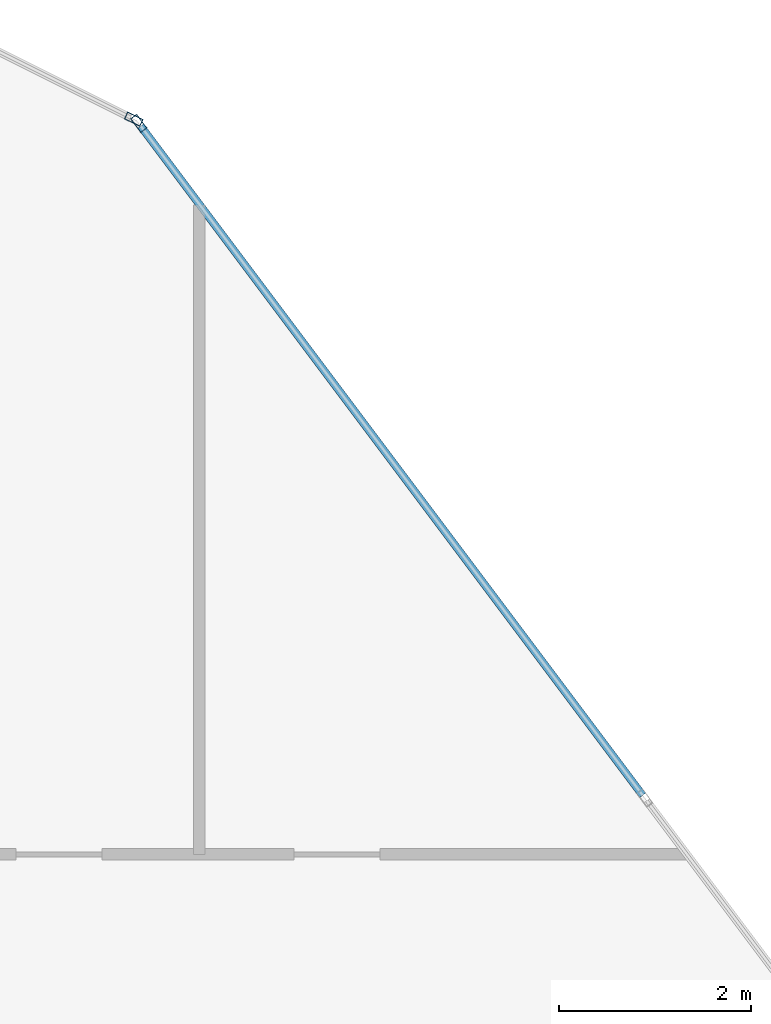
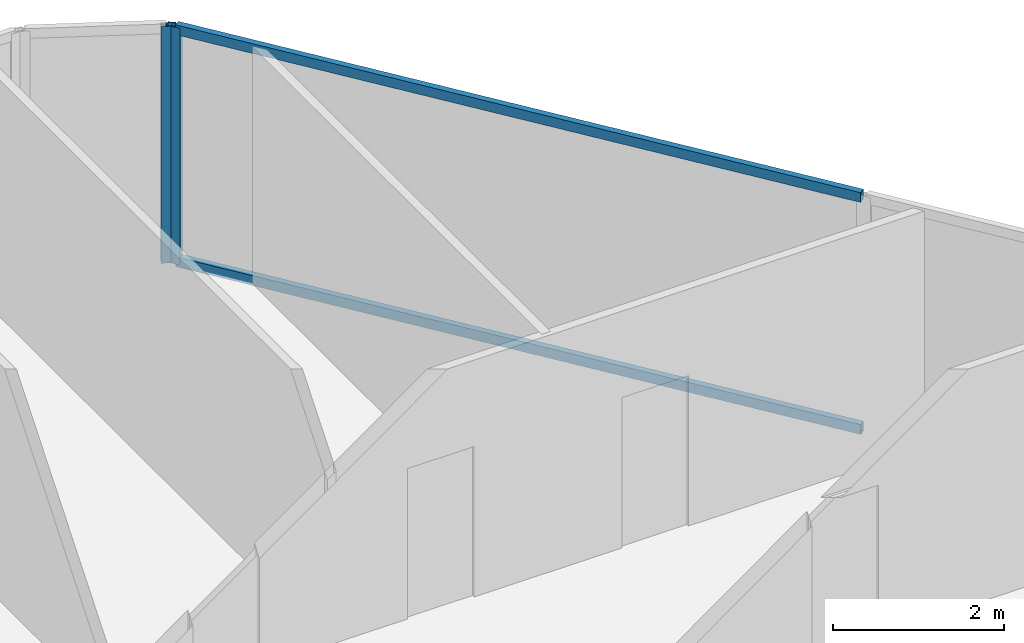
# One storey, part 22 of 31: 4 members, 2 elements without a shape of their own.
"""IFC4 building model written with IfcOpenShell, lengths in metres."""

from ifc_helpers import new_model, si_unit, direction, frame, origin, origin_2d, place, context, subcontext, project, spatial, hollow_rectangle, extrude, material, layer, layer_set, material_profile, profile_set, type_object, element, aggregate, save


model = new_model("IFC4")

# Units and contexts
model_context = context("Model", 3, precision=1e-05, world=origin(), true_north=direction((0.0, 1.0)))
body_context = subcontext(model_context, "Body", "Model", "MODEL_VIEW")
ifc_project = project(units=[si_unit("LENGTHUNIT", "METRE"), si_unit("AREAUNIT", "SQUARE_METRE"), si_unit("VOLUMEUNIT", "CUBIC_METRE"), si_unit("PLANEANGLEUNIT", "RADIAN"), si_unit("MASSUNIT", "GRAM", prefix="KILO")], contexts=[model_context])

# Site, building, storey
site_placement = place(None, origin())
site = spatial("IfcSite", under=ifc_project, at=site_placement, CompositionType="ELEMENT")
building_placement = place(site_placement, origin())
building = spatial("IfcBuilding", under=site, at=building_placement, Name="Keshet Zoharim Tower", CompositionType="ELEMENT")
storey_placement = place(building_placement, frame((0.0, 0.0, 129.800048828125)))
storey = spatial("IfcBuildingStorey", under=building, at=storey_placement, Name="L31", CompositionType="ELEMENT", Elevation=129.800048828125)

# Curtain wall, member
ifc_material = material(Name="Aluminium 6063-T6", Category="aluminium")
ifc_layer = layer(ifc_material, 0.159912109375)
ifc_layer_set = layer_set([ifc_layer], Name="Aluminium 6063-T6")
curtain_wall_type = type_object("IfcCurtainWallType", Name="CW-SYS-03", PredefinedType="NOTDEFINED", material=ifc_layer_set)
curtain_wall_1_placement = place(storey_placement, origin())
curtain_wall_1 = element("IfcCurtainWall", 1, at=curtain_wall_1_placement, inside=storey, type_object=curtain_wall_type, Name="L31 Unitised Curtain Wall 14", PredefinedType="NOTDEFINED")
ifc_material_profile_1 = material_profile(ifc_material, hollow_rectangle(XDim=0.080078125, YDim=0.179931640625, WallThickness=0.00439453125, at=origin_2d()), Name="MUL-80x180")
ifc_profile_set_1 = profile_set([ifc_material_profile_1], Name="Aluminium 6063-T6")
member_type_1 = type_object("IfcMemberType", Name="CWM-M18", PredefinedType="MULLION", material=ifc_profile_set_1)
member_1_placement = place(storey_placement, frame((51.568603515625, 53.11572265625, 0.0), z_axis=(0.0, 0.0, 1.0), x_axis=(0.447213595499, 0.894427191001, 0.0)))
member_1 = element("IfcMember", 2, at=member_1_placement, type_object=member_type_1, Name="CW-03 mullion 2", PredefinedType="MULLION", context=body_context, shape_type="SweptSolid", body=[
    extrude(hollow_rectangle(XDim=0.080078125, YDim=0.179931640625, WallThickness=0.00439453125, at=origin_2d()), origin(), (0.0, 0.0, 1.0), 3.385009765625),
])
aggregate(curtain_wall_1, [member_1])

# Curtain wall, members
curtain_wall_2_placement = place(storey_placement, origin())
curtain_wall_2 = element("IfcCurtainWall", 3, at=curtain_wall_2_placement, inside=storey, type_object=curtain_wall_type, Name="L31 Unitised Curtain Wall 15", PredefinedType="NOTDEFINED")
member_2_placement = place(storey_placement, frame((51.62109375, 53.072021484375, 0.0), z_axis=(0.0, 0.0, 1.0), x_axis=(0.799999999998, 0.600000000002, 0.0)))
member_2 = element("IfcMember", 4, at=member_2_placement, type_object=member_type_1, Name="CW-03 mullion 1", PredefinedType="MULLION", context=body_context, shape_type="SweptSolid", body=[
    extrude(hollow_rectangle(XDim=0.080078125, YDim=0.179931640625, WallThickness=0.00439453125, at=origin_2d()), origin(), (0.0, 0.0, 1.0), 3.385009765625),
])
ifc_material_profile_2 = material_profile(ifc_material, hollow_rectangle(XDim=0.080078125, YDim=0.139892578125, WallThickness=0.00390625, at=origin_2d()), Name="TRN-80x140")
ifc_profile_set_2 = profile_set([ifc_material_profile_2], Name="Aluminium 6063-T6")
member_type_2 = type_object("IfcMemberType", Name="CWT-T14", PredefinedType="USERDEFINED", material=ifc_profile_set_2)
member_3_placement = place(storey_placement, frame((51.64208984375, 53.0439453125, 0.034912109375), z_axis=(0.599991043201, -0.800006717521, 0.0), x_axis=(0.800006717521, 0.599991043201, 0.0)))
member_3 = element("IfcMember", 5, at=member_3_placement, type_object=member_type_2, Name="CW-03 transom 1.1", ObjectType="TRANSOM", PredefinedType="USERDEFINED", context=body_context, shape_type="SweptSolid", body=[
    extrude(hollow_rectangle(XDim=0.080078125, YDim=0.139892578125, WallThickness=0.00390625, at=origin_2d()), origin(), (0.0, 0.0, 1.0), 8.722412109375),
])
member_4_placement = place(storey_placement, frame((51.64208984375, 53.0439453125, 3.349853515625), z_axis=(0.599991043201, -0.800006717521, 0.0), x_axis=(0.800006717521, 0.599991043201, 0.0)))
member_4 = element("IfcMember", 6, at=member_4_placement, type_object=member_type_2, Name="CW-03 transom 1.2", ObjectType="TRANSOM", PredefinedType="USERDEFINED", context=body_context, shape_type="SweptSolid", body=[
    extrude(hollow_rectangle(XDim=0.080078125, YDim=0.139892578125, WallThickness=0.00390625, at=origin_2d()), origin(), (0.0, 0.0, 1.0), 8.722412109375),
])
aggregate(curtain_wall_2, [member_2, member_3, member_4])

save(model, "model.ifc")
